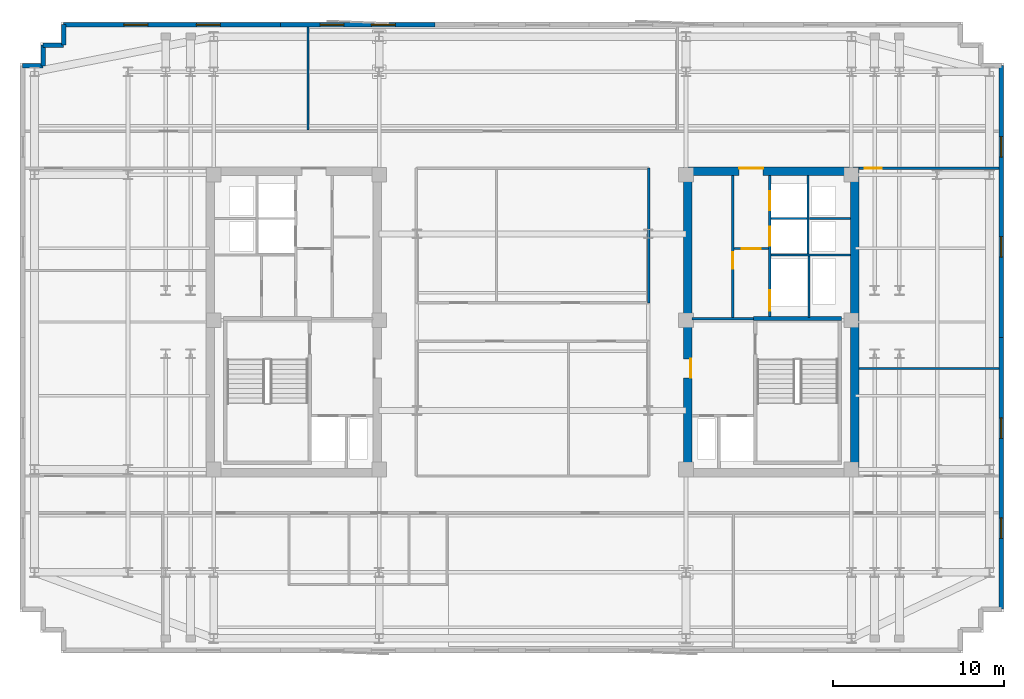
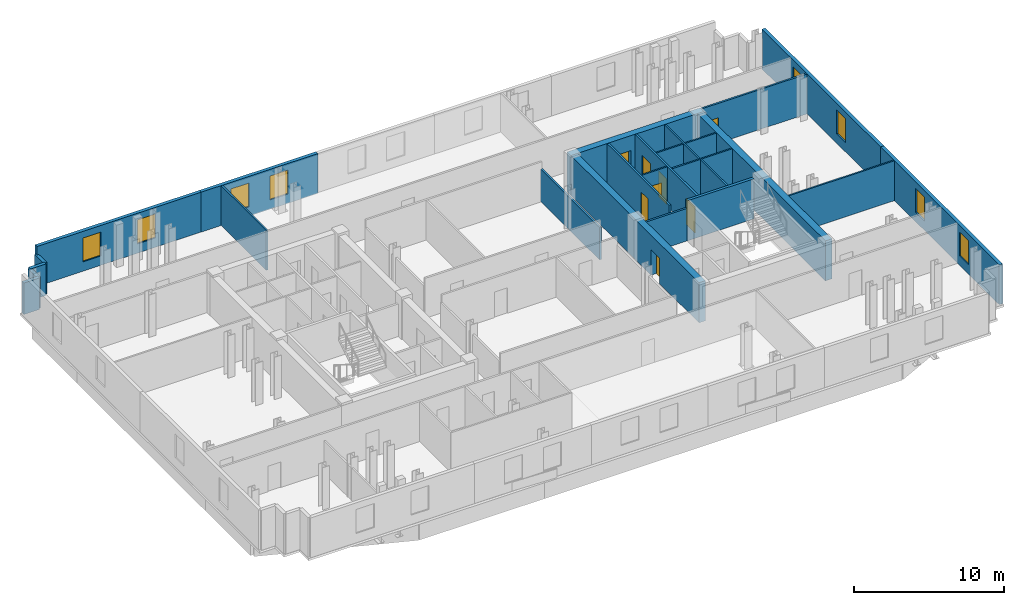
# One storey, part 6 of 9: 25 walls, 8 doors, 8 windows, 16 openings.
"""IFC4 building model written with IfcOpenShell, lengths in metres."""

from ifc_helpers import new_model, si_unit, direction, frame, frame_2d, origin, place, context, subcontext, project, spatial, rectangle, extrude, material, layer, layer_set, type_object, element, fill, save


model = new_model("IFC4")

# Units and contexts
model_context = context("Model", 3, precision=1e-05, world=origin(), true_north=direction((0.0, 1.0)))
body_context = subcontext(model_context, "Body", "Model", "MODEL_VIEW")
ifc_project = project(units=[si_unit("LENGTHUNIT", "METRE"), si_unit("AREAUNIT", "SQUARE_METRE"), si_unit("VOLUMEUNIT", "CUBIC_METRE"), si_unit("PLANEANGLEUNIT", "RADIAN"), si_unit("MASSUNIT", "GRAM", prefix="KILO")], contexts=[model_context])

# Site, building, storey
site_placement = place(None, origin())
site = spatial("IfcSite", under=ifc_project, at=site_placement, CompositionType="ELEMENT")
building_placement = place(site_placement, origin())
building = spatial("IfcBuilding", under=site, at=building_placement, Name="Velakula Bourse", CompositionType="ELEMENT")
storey_placement = place(building_placement, frame((0.0, 0.0, 208.5)))
storey = spatial("IfcBuildingStorey", under=building, at=storey_placement, Name="L56", CompositionType="ELEMENT", Elevation=208.5)

# Wall
ifc_material_1 = material(Name="Concrete M50 (fck 50 MPa)", Category="concrete")
ifc_layer_1 = layer(ifc_material_1, 0.2099609375, Name="Concrete M50 (fck 50 MPa)", Category="concrete")
ifc_layer_set_1 = layer_set([ifc_layer_1], Name="Concrete M50 (fck 50 MPa)")
wall_type_1 = type_object("IfcWallType", Name="WL-CORE-210", PredefinedType="SHEAR", material=ifc_layer_set_1)
wall_1_placement = place(storey_placement, frame((18.030029296875, 0.205078125, 0.0), z_axis=(0.0, 0.0, 1.0), x_axis=(-1.0, 0.0, 0.0)))
element("IfcWall", 1, at=wall_1_placement, inside=storey, type_object=wall_type_1, Name="L56 Core E Stairwell Shear Wall N", PredefinedType="SHEAR", context=body_context, shape_type="SweptSolid", body=[
    extrude(rectangle(XDim=5.14013671875, YDim=0.2099609375, at=frame_2d((2.570068359375, 0.0))), origin(), (0.0, 0.0, 1.0), 3.27001953125),
])

# Wall, opening, door
ifc_layer_2 = layer(ifc_material_1, 0.5, Name="Concrete M50 (fck 50 MPa)", Category="concrete")
ifc_layer_set_2 = layer_set([ifc_layer_2], Name="Concrete M50 (fck 50 MPa)")
wall_type_2 = type_object("IfcWallType", Name="WL-CORE-500", PredefinedType="SHEAR", material=ifc_layer_set_2)
wall_2_placement = place(storey_placement, frame((8.800048828125, 8.800048828125, 0.0), z_axis=(0.0, 0.0, 1.0), x_axis=(1.0, 0.0, 0.0)))
wall_2 = element("IfcWall", 2, at=wall_2_placement, inside=storey, type_object=wall_type_2, Name="L56 Core E Shear Wall N", PredefinedType="SHEAR", context=body_context, shape_type="SweptSolid", body=[
    extrude(rectangle(XDim=10.25, YDim=0.5, at=frame_2d((5.125, 0.0))), origin(), (0.0, 0.0, 1.0), 3.27001953125),
])
opening_1_placement = place(wall_2_placement, frame((3.25, 0.0, 0.0)))
opening_1 = element("IfcOpeningElement", 3, at=opening_1_placement, cuts=wall_2, Name="Opening D-LLE", PredefinedType="OPENING", context=body_context, shape_type="SweptSolid", body=[
    extrude(rectangle(XDim=1.39990234375, YDim=2.050048828125, at=frame_2d((0.699951171875, 1.02490234375))), frame((0.0, 0.260009765625, 0.0), z_axis=(0.0, -1.0, 0.0), x_axis=(1.0, 0.0, 0.0)), (0.0, 0.0, 1.0), 0.52001953125),
])
ifc_material_2 = material(Name="Fire-rated hardwood flush architectural door", Category="wood")
door_type_1 = type_object("IfcDoorType", Name="DR-DBL-FD60-1400", OperationType="DOUBLE_DOOR_SINGLE_SWING", PredefinedType="DOOR", material=ifc_material_2)
door_1_placement = place(opening_1_placement, origin())
door_1 = element("IfcDoor", 4, at=door_1_placement, inside=storey, type_object=door_type_1, Name="L56 Core E Lift Lobby Corridor Double Door", OperationType="DOUBLE_DOOR_SINGLE_SWING", OverallHeight=2.050048828125, OverallWidth=1.39990234375, PredefinedType="DOOR", context=body_context, shape_type="SweptSolid", body=[
    extrude(rectangle(XDim=1.39990234375, YDim=2.050048828125, at=frame_2d((0.699951171875, 1.02490234375))), frame((0.0, 0.19482421875, 0.0), z_axis=(0.0, -1.0, 0.0), x_axis=(1.0, 0.0, 0.0)), (0.0, 0.0, 1.0), 0.050048828125),
])
fill(opening_1, door_1)

wall_3_placement = place(storey_placement, frame((9.050048828125, -8.550048828125, 0.0), z_axis=(0.0, 0.0, 1.0), x_axis=(0.0, 1.0, 0.0)))
wall_3 = element("IfcWall", 5, at=wall_3_placement, inside=storey, type_object=wall_type_2, Name="L56 Core E Shear Wall W", PredefinedType="SHEAR", context=body_context, shape_type="SweptSolid", body=[
    extrude(rectangle(XDim=17.10009765625, YDim=0.5, at=frame_2d((8.550048828125, 0.0))), origin(), (0.0, 0.0, 1.0), 3.27001953125),
])
opening_2_placement = place(wall_3_placement, frame((5.300048828125, 0.0, 0.0)))
opening_2 = element("IfcOpeningElement", 6, at=opening_2_placement, cuts=wall_3, Name="Opening D-FLE", PredefinedType="OPENING", context=body_context, shape_type="SweptSolid", body=[
    extrude(rectangle(XDim=1.10009765625, YDim=2.080078125, at=frame_2d((0.550048828125, 1.0400390625))), frame((0.0, 0.260009765625, 0.0), z_axis=(0.0, -1.0, 0.0), x_axis=(1.0, 0.0, 0.0)), (0.0, 0.0, 1.0), 0.52001953125),
])
ifc_material_3 = material(Name="Galvanised painted hollow steel fire door", Category="steel")
door_type_2 = type_object("IfcDoorType", Name="DR-FD120-1100", OperationType="NOTDEFINED", PredefinedType="DOOR", material=ifc_material_3)
door_2_placement = place(opening_2_placement, origin())
door_2 = element("IfcDoor", 7, at=door_2_placement, inside=storey, type_object=door_type_2, Name="L56 Firefighting Lobby E Corridor Fire Door", OperationType="SINGLE_SWING_RIGHT", OverallHeight=2.080078125, OverallWidth=1.10009765625, PredefinedType="DOOR", context=body_context, shape_type="SweptSolid", body=[
    extrude(rectangle(XDim=1.10009765625, YDim=2.080078125, at=frame_2d((0.550048828125, 1.0400390625))), frame((0.0, -0.15478515625, 0.0), z_axis=(0.0, -1.0, 0.0), x_axis=(1.0, 0.0, 0.0)), (0.0, 0.0, 1.0), 0.050048828125),
])
fill(opening_2, door_2)

# Wall
wall_4_placement = place(storey_placement, frame((18.800048828125, -8.550048828125, 0.0), z_axis=(0.0, 0.0, 1.0), x_axis=(0.0, 1.0, 0.0)))
element("IfcWall", 8, at=wall_4_placement, inside=storey, type_object=wall_type_2, Name="L56 Core E Shear Wall E", PredefinedType="SHEAR", context=body_context, shape_type="SweptSolid", body=[
    extrude(rectangle(XDim=17.10009765625, YDim=0.5, at=frame_2d((8.550048828125, 0.0))), origin(), (0.0, 0.0, 1.0), 3.27001953125),
])

# Wall, openings, windows
ifc_material_4 = material(Name="Buff kilned clay facing brick masonry", Category="masonry")
ifc_layer_3 = layer(ifc_material_4, 0.260009765625, Name="Buff kilned clay facing brick masonry", Category="masonry")
ifc_layer_set_3 = layer_set([ifc_layer_3], Name="Buff kilned clay facing brick masonry")
wall_type_3 = type_object("IfcWallType", Name="WL-EXT-BRK-260", PredefinedType="STANDARD", material=ifc_layer_set_3)
wall_5_placement = place(storey_placement, frame((-27.35009765625, 17.35009765625, 0.0), z_axis=(0.0, 0.0, 1.0), x_axis=(1.0, 0.0, 0.0)))
wall_5 = element("IfcWall", 9, at=wall_5_placement, inside=storey, type_object=wall_type_3, Name="L56 N Brick Spandrel Wall B1", PredefinedType="STANDARD", context=body_context, shape_type="SweptSolid", body=[
    extrude(rectangle(XDim=12.650146484375, YDim=0.260009765625, at=frame_2d((6.3251953125, 0.0))), origin(), (0.0, 0.0, 1.0), 3.25),
])
opening_3_placement = place(wall_5_placement, frame((3.5166015625, 0.0, 0.760009765625)))
opening_3 = element("IfcOpeningElement", 10, at=opening_3_placement, cuts=wall_5, Name="Opening W-03", PredefinedType="OPENING", context=body_context, shape_type="SweptSolid", body=[
    extrude(rectangle(XDim=1.39990234375, YDim=1.949951171875, at=frame_2d((0.699951171875, 0.97509765625))), frame((0.0, 0.139892578125, 0.0), z_axis=(0.0, -1.0, 0.0), x_axis=(1.0, 0.0, 0.0)), (0.0, 0.0, 1.0), 0.280029296875),
])
opening_4_placement = place(wall_5_placement, frame((7.7333984375, 0.0, 0.760009765625)))
opening_4 = element("IfcOpeningElement", 11, at=opening_4_placement, cuts=wall_5, Name="Opening W-03", PredefinedType="OPENING", context=body_context, shape_type="SweptSolid", body=[
    extrude(rectangle(XDim=1.39990234375, YDim=1.949951171875, at=frame_2d((0.699951171875, 0.97509765625))), frame((0.0, 0.139892578125, 0.0), z_axis=(0.0, -1.0, 0.0), x_axis=(1.0, 0.0, 0.0)), (0.0, 0.0, 1.0), 0.280029296875),
])
ifc_material_5 = material(Name="Double-glazed solar-control Low-E glass", Category="glass")
window_type_1 = type_object("IfcWindowType", Name="WIN-TWR-1400x2100", PartitioningType="SINGLE_PANEL", PredefinedType="WINDOW", material=ifc_material_5)
window_1_placement = place(opening_3_placement, origin())
window_1 = element("IfcWindow", 12, at=window_1_placement, inside=storey, type_object=window_type_1, Name="L56 Deep-Set Recessed Window 1", OverallHeight=1.949951171875, OverallWidth=1.39990234375, PartitioningType="SINGLE_PANEL", PredefinedType="WINDOW", context=body_context, shape_type="SweptSolid", body=[
    extrude(rectangle(XDim=1.39990234375, YDim=1.949951171875, at=frame_2d((0.699951171875, 0.97509765625))), frame((0.0, 0.030029296875, 0.0), z_axis=(0.0, -1.0, 0.0), x_axis=(1.0, 0.0, 0.0)), (0.0, 0.0, 1.0), 0.06005859375),
])
fill(opening_3, window_1)
window_2_placement = place(opening_4_placement, origin())
window_2 = element("IfcWindow", 13, at=window_2_placement, inside=storey, type_object=window_type_1, Name="L56 Deep-Set Recessed Window 2", OverallHeight=1.949951171875, OverallWidth=1.39990234375, PartitioningType="SINGLE_PANEL", PredefinedType="WINDOW", context=body_context, shape_type="SweptSolid", body=[
    extrude(rectangle(XDim=1.39990234375, YDim=1.949951171875, at=frame_2d((0.699951171875, 0.97509765625))), frame((0.0, 0.030029296875, 0.0), z_axis=(0.0, -1.0, 0.0), x_axis=(1.0, 0.0, 0.0)), (0.0, 0.0, 1.0), 0.06005859375),
])
fill(opening_4, window_2)

wall_6_placement = place(storey_placement, frame((-14.699951171875, 17.35009765625, 0.0), z_axis=(0.0, 0.0, 1.0), x_axis=(1.0, 0.0, 0.0)))
wall_6 = element("IfcWall", 14, at=wall_6_placement, inside=storey, type_object=wall_type_3, Name="L56 N Brick Spandrel Wall B2", PredefinedType="STANDARD", context=body_context, shape_type="SweptSolid", body=[
    extrude(rectangle(XDim=9.0, YDim=0.260009765625, at=frame_2d((4.5, 0.0))), origin(), (0.0, 0.0, 1.0), 3.25),
])
opening_5_placement = place(wall_6_placement, frame((2.300048828125, 0.0, 0.760009765625)))
opening_5 = element("IfcOpeningElement", 15, at=opening_5_placement, cuts=wall_6, Name="Opening W-03", PredefinedType="OPENING", context=body_context, shape_type="SweptSolid", body=[
    extrude(rectangle(XDim=1.39990234375, YDim=1.949951171875, at=frame_2d((0.699951171875, 0.97509765625))), frame((0.0, 0.139892578125, 0.0), z_axis=(0.0, -1.0, 0.0), x_axis=(1.0, 0.0, 0.0)), (0.0, 0.0, 1.0), 0.280029296875),
])
opening_6_placement = place(wall_6_placement, frame((5.300048828125, 0.0, 0.760009765625)))
opening_6 = element("IfcOpeningElement", 16, at=opening_6_placement, cuts=wall_6, Name="Opening W-03", PredefinedType="OPENING", context=body_context, shape_type="SweptSolid", body=[
    extrude(rectangle(XDim=1.39990234375, YDim=1.949951171875, at=frame_2d((0.699951171875, 0.97509765625))), frame((0.0, 0.139892578125, 0.0), z_axis=(0.0, -1.0, 0.0), x_axis=(1.0, 0.0, 0.0)), (0.0, 0.0, 1.0), 0.280029296875),
])
window_3_placement = place(opening_5_placement, origin())
window_3 = element("IfcWindow", 17, at=window_3_placement, inside=storey, type_object=window_type_1, Name="L56 Deep-Set Recessed Window 1", OverallHeight=1.949951171875, OverallWidth=1.39990234375, PartitioningType="SINGLE_PANEL", PredefinedType="WINDOW", context=body_context, shape_type="SweptSolid", body=[
    extrude(rectangle(XDim=1.39990234375, YDim=1.949951171875, at=frame_2d((0.699951171875, 0.97509765625))), frame((0.0, 0.030029296875, 0.0), z_axis=(0.0, -1.0, 0.0), x_axis=(1.0, 0.0, 0.0)), (0.0, 0.0, 1.0), 0.06005859375),
])
fill(opening_5, window_3)
window_4_placement = place(opening_6_placement, origin())
window_4 = element("IfcWindow", 18, at=window_4_placement, inside=storey, type_object=window_type_1, Name="L56 Deep-Set Recessed Window 2", OverallHeight=1.949951171875, OverallWidth=1.39990234375, PartitioningType="SINGLE_PANEL", PredefinedType="WINDOW", context=body_context, shape_type="SweptSolid", body=[
    extrude(rectangle(XDim=1.39990234375, YDim=1.949951171875, at=frame_2d((0.699951171875, 0.97509765625))), frame((0.0, 0.030029296875, 0.0), z_axis=(0.0, -1.0, 0.0), x_axis=(1.0, 0.0, 0.0)), (0.0, 0.0, 1.0), 0.06005859375),
])
fill(opening_6, window_4)

wall_7_placement = place(storey_placement, frame((27.35009765625, -0.89990234375, 0.0), z_axis=(0.0, 0.0, 1.0), x_axis=(0.0, -1.0, 0.0)))
wall_7 = element("IfcWall", 19, at=wall_7_placement, inside=storey, type_object=wall_type_3, Name="L56 E Brick End Wall W1", PredefinedType="STANDARD", context=body_context, shape_type="SweptSolid", body=[
    extrude(rectangle(XDim=15.85009765625, YDim=0.260009765625, at=frame_2d((7.925048828125, 0.0))), origin(), (0.0, 0.0, 1.0), 3.25),
])
opening_7_placement = place(wall_7_placement, frame((4.683349609375, 0.0, 0.760009765625)))
opening_7 = element("IfcOpeningElement", 20, at=opening_7_placement, cuts=wall_7, Name="Opening W-04", PredefinedType="OPENING", context=body_context, shape_type="SweptSolid", body=[
    extrude(rectangle(XDim=1.199951171875, YDim=1.949951171875, at=frame_2d((0.60009765625, 0.97509765625))), frame((0.0, 0.139892578125, 0.0), z_axis=(0.0, -1.0, 0.0), x_axis=(1.0, 0.0, 0.0)), (0.0, 0.0, 1.0), 0.280029296875),
])
opening_8_placement = place(wall_7_placement, frame((10.5166015625, 0.0, 0.760009765625)))
opening_8 = element("IfcOpeningElement", 21, at=opening_8_placement, cuts=wall_7, Name="Opening W-04", PredefinedType="OPENING", context=body_context, shape_type="SweptSolid", body=[
    extrude(rectangle(XDim=1.199951171875, YDim=1.949951171875, at=frame_2d((0.60009765625, 0.97509765625))), frame((0.0, 0.139892578125, 0.0), z_axis=(0.0, -1.0, 0.0), x_axis=(1.0, 0.0, 0.0)), (0.0, 0.0, 1.0), 0.280029296875),
])
window_type_2 = type_object("IfcWindowType", Name="WIN-TWR-1200x2100", PartitioningType="SINGLE_PANEL", PredefinedType="WINDOW", material=ifc_material_5)
window_5_placement = place(opening_7_placement, origin())
window_5 = element("IfcWindow", 22, at=window_5_placement, inside=storey, type_object=window_type_2, Name="L56 Deep-Set Recessed Window 1", OverallHeight=1.949951171875, OverallWidth=1.199951171875, PartitioningType="SINGLE_PANEL", PredefinedType="WINDOW", context=body_context, shape_type="SweptSolid", body=[
    extrude(rectangle(XDim=1.199951171875, YDim=1.949951171875, at=frame_2d((0.60009765625, 0.97509765625))), frame((0.0, 0.030029296875, 0.0), z_axis=(0.0, -1.0, 0.0), x_axis=(1.0, 0.0, 0.0)), (0.0, 0.0, 1.0), 0.06005859375),
])
fill(opening_7, window_5)
window_6_placement = place(opening_8_placement, origin())
window_6 = element("IfcWindow", 23, at=window_6_placement, inside=storey, type_object=window_type_2, Name="L56 Deep-Set Recessed Window 2", OverallHeight=1.949951171875, OverallWidth=1.199951171875, PartitioningType="SINGLE_PANEL", PredefinedType="WINDOW", context=body_context, shape_type="SweptSolid", body=[
    extrude(rectangle(XDim=1.199951171875, YDim=1.949951171875, at=frame_2d((0.60009765625, 0.97509765625))), frame((0.0, 0.030029296875, 0.0), z_axis=(0.0, -1.0, 0.0), x_axis=(1.0, 0.0, 0.0)), (0.0, 0.0, 1.0), 0.06005859375),
])
fill(opening_8, window_6)

wall_8_placement = place(storey_placement, frame((27.35009765625, 14.949951171875, 0.0), z_axis=(0.0, 0.0, 1.0), x_axis=(0.0, -1.0, 0.0)))
wall_8 = element("IfcWall", 24, at=wall_8_placement, inside=storey, type_object=wall_type_3, Name="L56 E Brick End Wall W2", PredefinedType="STANDARD", context=body_context, shape_type="SweptSolid", body=[
    extrude(rectangle(XDim=15.849853515625, YDim=0.260009765625, at=frame_2d((7.9248046875, 0.0))), origin(), (0.0, 0.0, 1.0), 3.25),
])
opening_9_placement = place(wall_8_placement, frame((4.13330078125, 0.0, 0.760009765625)))
opening_9 = element("IfcOpeningElement", 25, at=opening_9_placement, cuts=wall_8, Name="Opening W-04", PredefinedType="OPENING", context=body_context, shape_type="SweptSolid", body=[
    extrude(rectangle(XDim=1.199951171875, YDim=1.949951171875, at=frame_2d((0.60009765625, 0.97509765625))), frame((0.0, 0.139892578125, 0.0), z_axis=(0.0, -1.0, 0.0), x_axis=(1.0, 0.0, 0.0)), (0.0, 0.0, 1.0), 0.280029296875),
])
opening_10_placement = place(wall_8_placement, frame((9.966796875, 0.0, 0.760009765625)))
opening_10 = element("IfcOpeningElement", 26, at=opening_10_placement, cuts=wall_8, Name="Opening W-04", PredefinedType="OPENING", context=body_context, shape_type="SweptSolid", body=[
    extrude(rectangle(XDim=1.199951171875, YDim=1.949951171875, at=frame_2d((0.60009765625, 0.97509765625))), frame((0.0, 0.139892578125, 0.0), z_axis=(0.0, -1.0, 0.0), x_axis=(1.0, 0.0, 0.0)), (0.0, 0.0, 1.0), 0.280029296875),
])
window_7_placement = place(opening_9_placement, origin())
window_7 = element("IfcWindow", 27, at=window_7_placement, inside=storey, type_object=window_type_2, Name="L56 Deep-Set Recessed Window 1", OverallHeight=1.949951171875, OverallWidth=1.199951171875, PartitioningType="SINGLE_PANEL", PredefinedType="WINDOW", context=body_context, shape_type="SweptSolid", body=[
    extrude(rectangle(XDim=1.199951171875, YDim=1.949951171875, at=frame_2d((0.60009765625, 0.97509765625))), frame((0.0, 0.030029296875, 0.0), z_axis=(0.0, -1.0, 0.0), x_axis=(1.0, 0.0, 0.0)), (0.0, 0.0, 1.0), 0.06005859375),
])
fill(opening_9, window_7)
window_8_placement = place(opening_10_placement, origin())
window_8 = element("IfcWindow", 28, at=window_8_placement, inside=storey, type_object=window_type_2, Name="L56 Deep-Set Recessed Window 2", OverallHeight=1.949951171875, OverallWidth=1.199951171875, PartitioningType="SINGLE_PANEL", PredefinedType="WINDOW", context=body_context, shape_type="SweptSolid", body=[
    extrude(rectangle(XDim=1.199951171875, YDim=1.949951171875, at=frame_2d((0.60009765625, 0.97509765625))), frame((0.0, 0.030029296875, 0.0), z_axis=(0.0, -1.0, 0.0), x_axis=(1.0, 0.0, 0.0)), (0.0, 0.0, 1.0), 0.06005859375),
])
fill(opening_10, window_8)

# Walls
wall_9_placement = place(storey_placement, frame((-27.35009765625, 17.35009765625, 0.0), z_axis=(0.0, 0.0, 1.0), x_axis=(0.0, -1.0, 0.0)))
element("IfcWall", 29, at=wall_9_placement, inside=storey, type_object=wall_type_3, Name="L56 Serrated Corner Brick Wall NW-1", PredefinedType="STANDARD", context=body_context, shape_type="SweptSolid", body=[
    extrude(rectangle(XDim=1.2001953125, YDim=0.260009765625, at=frame_2d((0.60009765625, 0.0))), origin(), (0.0, 0.0, 1.0), 2.56494140625),
])
for number, where, z_axis, x_axis, name in (
    (30, (-27.35009765625, 16.14990234375, 0.0), (0.0, 0.0, 1.0), (-1.0, 0.0, 0.0), "L56 Serrated Corner Brick Wall NW-2"),
    (31, (-28.550048828125, 16.14990234375, 0.0), (0.0, 0.0, 1.0), (0.0, -1.0, 0.0), "L56 Serrated Corner Brick Wall NW-3"),
    (32, (-28.550048828125, 14.949951171875, 0.0), (0.0, 0.0, 1.0), (-1.0, 0.0, 0.0), "L56 Serrated Corner Brick Wall NW-4"),
):
    element("IfcWall", number, at=place(storey_placement, frame(where, z_axis=z_axis, x_axis=x_axis)), inside=storey, type_object=wall_type_3, Name=name, PredefinedType="STANDARD", context=body_context, shape_type="SweptSolid", body=[
        extrude(rectangle(XDim=1.199951171875, YDim=0.260009765625, at=frame_2d((0.60009765625, 0.0))), origin(), (0.0, 0.0, 1.0), 2.56494140625),
    ])

# Wall, opening, door
ifc_material_6 = material(Name="Fire-rated double-layer gypsum drywall partition", Category="gypsum")
ifc_layer_4 = layer(ifc_material_6, 0.1201171875, Name="Fire-rated double-layer gypsum drywall partition", Category="gypsum")
ifc_layer_set_4 = layer_set([ifc_layer_4], Name="Fire-rated double-layer gypsum drywall partition")
wall_type_4 = type_object("IfcWallType", Name="WL-PART-120", PredefinedType="STANDARD", material=ifc_layer_set_4)
wall_10_placement = place(storey_placement, frame((11.75, 4.280029296875, 0.0), z_axis=(0.0, 0.0, 1.0), x_axis=(1.0, 0.0, 0.0)))
wall_10 = element("IfcWall", 33, at=wall_10_placement, inside=storey, type_object=wall_type_4, Name="L56 Interior Partition WL-CRE-L56-LL-K2", PredefinedType="STANDARD", context=body_context, shape_type="SweptSolid", body=[
    extrude(rectangle(XDim=2.0, YDim=0.1201171875, at=frame_2d((1.0, 0.0))), origin(), (0.0, 0.0, 1.0), 3.25),
])
opening_11_placement = place(wall_10_placement, frame((0.449951171875, 0.0, 0.0)))
opening_11 = element("IfcOpeningElement", 34, at=opening_11_placement, cuts=wall_10, Name="Opening D-LK2", PredefinedType="OPENING", context=body_context, shape_type="SweptSolid", body=[
    extrude(rectangle(XDim=1.10009765625, YDim=2.10009765625, at=frame_2d((0.550048828125, 1.050048828125))), frame((0.0, 0.070068359375, 0.0), z_axis=(0.0, -1.0, 0.0), x_axis=(1.0, 0.0, 0.0)), (0.0, 0.0, 1.0), 0.14013671875),
])
door_type_3 = type_object("IfcDoorType", Name="DR-FD60-1100x2100", OperationType="NOTDEFINED", PredefinedType="DOOR", material=ifc_material_2)
door_3_placement = place(opening_11_placement, origin())
door_3 = element("IfcDoor", 35, at=door_3_placement, inside=storey, type_object=door_type_3, Name="L56 Core E Lift Lobby Zone Door", OperationType="SINGLE_SWING_LEFT", OverallHeight=2.10009765625, OverallWidth=1.10009765625, PredefinedType="DOOR", context=body_context, shape_type="SweptSolid", body=[
    extrude(rectangle(XDim=1.10009765625, YDim=2.10009765625, at=frame_2d((0.550048828125, 1.050048828125))), frame((0.0, 0.02490234375, 0.0), z_axis=(0.0, -1.0, 0.0), x_axis=(1.0, 0.0, 0.0)), (0.0, 0.0, 1.0), 0.050048828125),
])
fill(opening_11, door_3)

# Walls
wall_11_placement = place(storey_placement, frame((13.89990234375, 3.919921875, 0.0), z_axis=(0.0, 0.0, 1.0), x_axis=(1.0, 0.0, 0.0)))
element("IfcWall", 36, at=wall_11_placement, inside=storey, type_object=wall_type_4, Name="L56 Interior Partition WL-CRE-L56-HI-S", PredefinedType="STANDARD", context=body_context, shape_type="SweptSolid", body=[
    extrude(rectangle(XDim=4.650146484375, YDim=0.1201171875, at=frame_2d((2.3251953125, 0.0))), origin(), (0.0, 0.0, 1.0), 3.25),
])
wall_12_placement = place(storey_placement, frame((16.14990234375, 6.030029296875, 0.0), z_axis=(0.0, 0.0, 1.0), x_axis=(1.0, 0.0, 0.0)))
element("IfcWall", 37, at=wall_12_placement, inside=storey, type_object=wall_type_4, Name="L56 Interior Partition WL-CRE-L56-RIS-MID", PredefinedType="STANDARD", context=body_context, shape_type="SweptSolid", body=[
    extrude(rectangle(XDim=2.400146484375, YDim=0.1201171875, at=frame_2d((1.2001953125, 0.0))), origin(), (0.0, 0.0, 1.0), 3.25),
])
wall_13_placement = place(storey_placement, frame((16.074951171875, 3.97998046875, 0.0), z_axis=(0.0, 0.0, 1.0), x_axis=(0.0, 1.0, 0.0)))
element("IfcWall", 38, at=wall_13_placement, inside=storey, type_object=wall_type_4, Name="L56 Interior Partition WL-CRE-L56-RIS-F", PredefinedType="STANDARD", context=body_context, shape_type="SweptSolid", body=[
    extrude(rectangle(XDim=4.570068359375, YDim=0.1201171875, at=frame_2d((2.28515625, 0.0))), origin(), (0.0, 0.0, 1.0), 3.25),
])
wall_14_placement = place(storey_placement, frame((13.89990234375, 6.030029296875, 0.0), z_axis=(0.0, 0.0, 1.0), x_axis=(1.0, 0.0, 0.0)))
element("IfcWall", 39, at=wall_14_placement, inside=storey, type_object=wall_type_4, Name="L56 Interior Partition WL-CRE-L56-HI-DIV", PredefinedType="STANDARD", context=body_context, shape_type="SweptSolid", body=[
    extrude(rectangle(XDim=2.10009765625, YDim=0.1201171875, at=frame_2d((1.050048828125, 0.0))), origin(), (0.0, 0.0, 1.0), 3.25),
])
wall_15_placement = place(storey_placement, frame((16.125, 0.27001953125, 0.0), z_axis=(0.0, 0.0, 1.0), x_axis=(0.0, 1.0, 0.0)))
element("IfcWall", 40, at=wall_15_placement, inside=storey, type_object=wall_type_4, Name="L56 Interior Partition WL-CRE-L56-SVL-E", PredefinedType="STANDARD", context=body_context, shape_type="SweptSolid", body=[
    extrude(rectangle(XDim=3.590087890625, YDim=0.1201171875, at=frame_2d((1.794921875, 0.0))), origin(), (0.0, 0.0, 1.0), 3.25),
])
wall_16_placement = place(storey_placement, frame((-13.111083984375, 11.18994140625, 0.0), z_axis=(0.0, 0.0, 1.0), x_axis=(0.0, 1.0, 0.0)))
element("IfcWall", 41, at=wall_16_placement, inside=storey, type_object=wall_type_4, Name="L56 Interior Partition WL-INT-L56-N-D1", PredefinedType="STANDARD", context=body_context, shape_type="SweptSolid", body=[
    extrude(rectangle(XDim=6.030029296875, YDim=0.1201171875, at=frame_2d((3.01513671875, 0.0))), origin(), (0.0, 0.0, 1.0), 3.25),
])
wall_17_placement = place(storey_placement, frame((19.050048828125, -2.699951171875, 0.0), z_axis=(0.0, 0.0, 1.0), x_axis=(1.0, 0.0, 0.0)))
element("IfcWall", 42, at=wall_17_placement, inside=storey, type_object=wall_type_4, Name="L56 Interior Partition WL-INT-L56-E-H", PredefinedType="STANDARD", context=body_context, shape_type="SweptSolid", body=[
    extrude(rectangle(XDim=8.169921875, YDim=0.1201171875, at=frame_2d((4.0849609375, 0.0))), origin(), (0.0, 0.0, 1.0), 3.25),
])

# Wall, opening, door
ifc_layer_5 = layer(ifc_material_6, 0.139892578125, Name="Fire-rated double-layer gypsum drywall partition", Category="gypsum")
ifc_layer_set_5 = layer_set([ifc_layer_5], Name="Fire-rated double-layer gypsum drywall partition")
wall_type_5 = type_object("IfcWallType", Name="WL-PART-140", PredefinedType="STANDARD", material=ifc_layer_set_5)
wall_18_placement = place(storey_placement, frame((19.050048828125, 8.97998046875, 0.0), z_axis=(0.0, 0.0, 1.0), x_axis=(1.0, 0.0, 0.0)))
wall_18 = element("IfcWall", 43, at=wall_18_placement, inside=storey, type_object=wall_type_5, Name="L56 Interior Partition WL-INT-L56-E-NC", PredefinedType="STANDARD", context=body_context, shape_type="SweptSolid", body=[
    extrude(rectangle(XDim=8.169921875, YDim=0.139892578125, at=frame_2d((4.0849609375, 0.0))), origin(), (0.0, 0.0, 1.0), 3.25),
])
opening_12_placement = place(wall_18_placement, frame((0.320068359375, 0.0, 0.0)))
opening_12 = element("IfcOpeningElement", 44, at=opening_12_placement, cuts=wall_18, Name="Opening D-OF1", PredefinedType="OPENING", context=body_context, shape_type="SweptSolid", body=[
    extrude(rectangle(XDim=1.0, YDim=2.080078125, at=frame_2d((0.5, 1.0400390625))), frame((0.0, 0.079833984375, 0.0), z_axis=(0.0, -1.0, 0.0), x_axis=(1.0, 0.0, 0.0)), (0.0, 0.0, 1.0), 0.159912109375),
])
door_type_4 = type_object("IfcDoorType", Name="DR-OFF-1000", OperationType="NOTDEFINED", PredefinedType="DOOR", material=ifc_material_2)
door_4_placement = place(opening_12_placement, origin())
door_4 = element("IfcDoor", 45, at=door_4_placement, inside=storey, type_object=door_type_4, Name="L56 Treasury Operations Office Door", OperationType="SINGLE_SWING_LEFT", OverallHeight=2.080078125, OverallWidth=1.0, PredefinedType="DOOR", context=body_context, shape_type="SweptSolid", body=[
    extrude(rectangle(XDim=1.0, YDim=2.080078125, at=frame_2d((0.5, 1.0400390625))), frame((0.0, 0.02490234375, 0.0), z_axis=(0.0, -1.0, 0.0), x_axis=(1.0, 0.0, 0.0)), (0.0, 0.0, 1.0), 0.050048828125),
])
fill(opening_12, door_4)

# Walls
wall_19_placement = place(storey_placement, frame((6.780029296875, 1.1201171875, 0.0), z_axis=(0.0, 0.0, 1.0), x_axis=(0.0, 1.0, 0.0)))
element("IfcWall", 46, at=wall_19_placement, inside=storey, type_object=wall_type_5, Name="L56 Interior Partition WL-INT-L56-MN-E", PredefinedType="STANDARD", context=body_context, shape_type="SweptSolid", body=[
    extrude(rectangle(XDim=7.85986328125, YDim=0.139892578125, at=frame_2d((3.929931640625, 0.0))), origin(), (0.0, 0.0, 1.0), 2.64501953125),
])
ifc_material_7 = material(Name="Autoclaved aerated concrete blockwork masonry", Category="masonry")
ifc_layer_6 = layer(ifc_material_7, 0.14990234375, Name="Autoclaved aerated concrete blockwork masonry", Category="masonry")
ifc_layer_set_6 = layer_set([ifc_layer_6], Name="Autoclaved aerated concrete blockwork masonry")
wall_type_6 = type_object("IfcWallType", Name="WL-SHAFT-150", PredefinedType="STANDARD", material=ifc_layer_set_6)
wall_20_placement = place(storey_placement, frame((9.300048828125, 0.18994140625, 0.0), z_axis=(0.0, 0.0, 1.0), x_axis=(1.0, 0.0, 0.0)))
element("IfcWall", 47, at=wall_20_placement, inside=storey, type_object=wall_type_6, Name="L56 Interior Partition WL-CRE-L56-FF-TOP", PredefinedType="STANDARD", context=body_context, shape_type="SweptSolid", body=[
    extrude(rectangle(XDim=3.58984375, YDim=0.14990234375, at=frame_2d((1.794921875, 0.0))), origin(), (0.0, 0.0, 1.0), 2.64501953125),
])

# Wall, opening, door
wall_21_placement = place(storey_placement, frame((11.675048828125, 0.27001953125, 0.0), z_axis=(0.0, 0.0, 1.0), x_axis=(0.0, 1.0, 0.0)))
wall_21 = element("IfcWall", 48, at=wall_21_placement, inside=storey, type_object=wall_type_6, Name="L56 Interior Partition WL-CRE-L56-BANK-F", PredefinedType="STANDARD", context=body_context, shape_type="SweptSolid", body=[
    extrude(rectangle(XDim=8.280029296875, YDim=0.14990234375, at=frame_2d((4.14013671875, 0.0))), origin(), (0.0, 0.0, 1.0), 3.25),
])
opening_13_placement = place(wall_21_placement, frame((2.85009765625, 0.0, 0.0)))
opening_13 = element("IfcOpeningElement", 49, at=opening_13_placement, cuts=wall_21, Name="Opening D-RC5", PredefinedType="OPENING", context=body_context, shape_type="SweptSolid", body=[
    extrude(rectangle(XDim=0.949951171875, YDim=2.050048828125, at=frame_2d((0.47509765625, 1.02490234375))), frame((0.0, 0.0849609375, 0.0), z_axis=(0.0, -1.0, 0.0), x_axis=(1.0, 0.0, 0.0)), (0.0, 0.0, 1.0), 0.169921875),
])
door_type_5 = type_object("IfcDoorType", Name="DR-FD60-950x2050", OperationType="NOTDEFINED", PredefinedType="DOOR", material=ifc_material_2)
door_5_placement = place(opening_13_placement, origin())
door_5 = element("IfcDoor", 50, at=door_5_placement, inside=storey, type_object=door_type_5, Name="L56 Reclaimed Multi-Bay Depository Room Door", OperationType="SINGLE_SWING_LEFT", OverallHeight=2.050048828125, OverallWidth=0.949951171875, PredefinedType="DOOR", context=body_context, shape_type="SweptSolid", body=[
    extrude(rectangle(XDim=0.949951171875, YDim=2.050048828125, at=frame_2d((0.47509765625, 1.02490234375))), frame((0.0, 0.02490234375, 0.0), z_axis=(0.0, -1.0, 0.0), x_axis=(1.0, 0.0, 0.0)), (0.0, 0.0, 1.0), 0.050048828125),
])
fill(opening_13, door_5)

# Wall, openings, doors
wall_22_placement = place(storey_placement, frame((13.824951171875, 0.27001953125, 0.0), z_axis=(0.0, 0.0, 1.0), x_axis=(0.0, 1.0, 0.0)))
wall_22 = element("IfcWall", 51, at=wall_22_placement, inside=storey, type_object=wall_type_6, Name="L56 Interior Partition WL-CRE-L56-OUT-F", PredefinedType="STANDARD", context=body_context, shape_type="SweptSolid", body=[
    extrude(rectangle(XDim=8.280029296875, YDim=0.14990234375, at=frame_2d((4.14013671875, 0.0))), origin(), (0.0, 0.0, 1.0), 3.25),
])
opening_14_placement = place(wall_22_placement, frame((4.175048828125, 0.0, 0.0)))
opening_14 = element("IfcOpeningElement", 52, at=opening_14_placement, cuts=wall_22, Name="Opening LD-P11", PredefinedType="OPENING", context=body_context, shape_type="SweptSolid", body=[
    extrude(rectangle(XDim=1.10009765625, YDim=2.10009765625, at=frame_2d((0.550048828125, 1.050048828125))), frame((0.0, 0.0849609375, 0.0), z_axis=(0.0, -1.0, 0.0), x_axis=(1.0, 0.0, 0.0)), (0.0, 0.0, 1.0), 0.169921875),
])
opening_15_placement = place(wall_22_placement, frame((6.2451171875, 0.0, 0.0)))
opening_15 = element("IfcOpeningElement", 53, at=opening_15_placement, cuts=wall_22, Name="Opening LD-P12", PredefinedType="OPENING", context=body_context, shape_type="SweptSolid", body=[
    extrude(rectangle(XDim=1.10009765625, YDim=2.10009765625, at=frame_2d((0.550048828125, 1.050048828125))), frame((0.0, 0.0849609375, 0.0), z_axis=(0.0, -1.0, 0.0), x_axis=(1.0, 0.0, 0.0)), (0.0, 0.0, 1.0), 0.169921875),
])
opening_16_placement = place(wall_22_placement, frame((0.3798828125, 0.0, 0.0)))
opening_16 = element("IfcOpeningElement", 54, at=opening_16_placement, cuts=wall_22, Name="Opening LD-SVL1", PredefinedType="OPENING", context=body_context, shape_type="SweptSolid", body=[
    extrude(rectangle(XDim=1.199951171875, YDim=2.10009765625, at=frame_2d((0.60009765625, 1.050048828125))), frame((0.0, 0.0849609375, 0.0), z_axis=(0.0, -1.0, 0.0), x_axis=(1.0, 0.0, 0.0)), (0.0, 0.0, 1.0), 0.169921875),
])
ifc_material_8 = material(Name="Brushed grade 316 stainless steel", Category="steel")
door_type_6 = type_object("IfcDoorType", Name="DR-SLIDE-LD-1100", OperationType="DOUBLE_DOOR_SLIDING", PredefinedType="DOOR", material=ifc_material_8)
door_6_placement = place(opening_14_placement, origin())
door_6 = element("IfcDoor", 55, at=door_6_placement, inside=storey, type_object=door_type_6, Name="L56 Passenger Lift P11 Sliding Landing Door", OperationType="DOUBLE_DOOR_SLIDING", OverallHeight=2.10009765625, OverallWidth=1.10009765625, PredefinedType="DOOR", context=body_context, shape_type="SweptSolid", body=[
    extrude(rectangle(XDim=1.10009765625, YDim=2.10009765625, at=frame_2d((0.550048828125, 1.050048828125))), frame((0.0, 0.02490234375, 0.0), z_axis=(0.0, -1.0, 0.0), x_axis=(1.0, 0.0, 0.0)), (0.0, 0.0, 1.0), 0.050048828125),
])
fill(opening_14, door_6)
door_7_placement = place(opening_15_placement, origin())
door_7 = element("IfcDoor", 56, at=door_7_placement, inside=storey, type_object=door_type_6, Name="L56 Passenger Lift P12 Sliding Landing Door", OperationType="DOUBLE_DOOR_SLIDING", OverallHeight=2.10009765625, OverallWidth=1.10009765625, PredefinedType="DOOR", context=body_context, shape_type="SweptSolid", body=[
    extrude(rectangle(XDim=1.10009765625, YDim=2.10009765625, at=frame_2d((0.550048828125, 1.050048828125))), frame((0.0, 0.02490234375, 0.0), z_axis=(0.0, -1.0, 0.0), x_axis=(1.0, 0.0, 0.0)), (0.0, 0.0, 1.0), 0.050048828125),
])
fill(opening_15, door_7)
door_type_7 = type_object("IfcDoorType", Name="DR-SLIDE-LD-1200", OperationType="DOUBLE_DOOR_SLIDING", PredefinedType="DOOR", material=ifc_material_8)
door_8_placement = place(opening_16_placement, origin())
door_8 = element("IfcDoor", 57, at=door_8_placement, inside=storey, type_object=door_type_7, Name="L56 Service Lift SVL-1 Sliding Landing Door", OperationType="DOUBLE_DOOR_SLIDING", OverallHeight=2.10009765625, OverallWidth=1.199951171875, PredefinedType="DOOR", context=body_context, shape_type="SweptSolid", body=[
    extrude(rectangle(XDim=1.199951171875, YDim=2.10009765625, at=frame_2d((0.60009765625, 1.050048828125))), frame((0.0, 0.02490234375, 0.0), z_axis=(0.0, -1.0, 0.0), x_axis=(1.0, 0.0, 0.0)), (0.0, 0.0, 1.0), 0.050048828125),
])
fill(opening_16, door_8)

save(model, "model.ifc")
